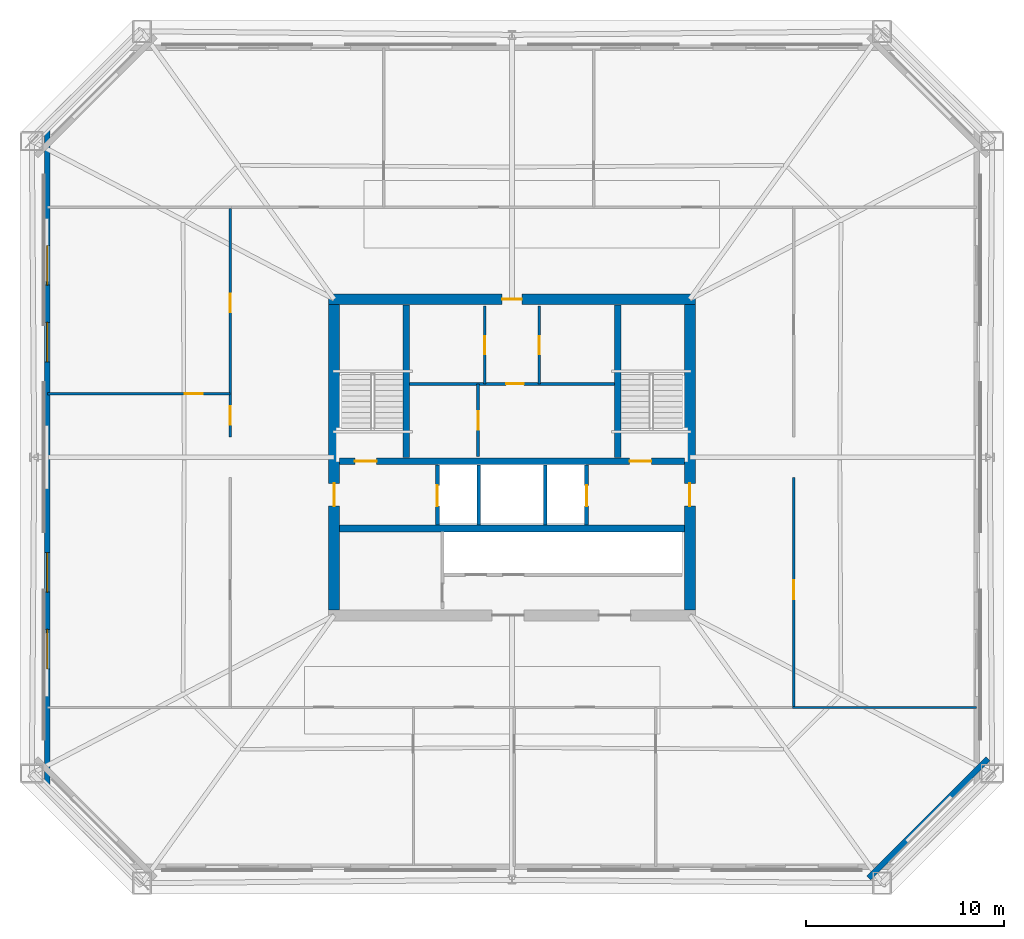
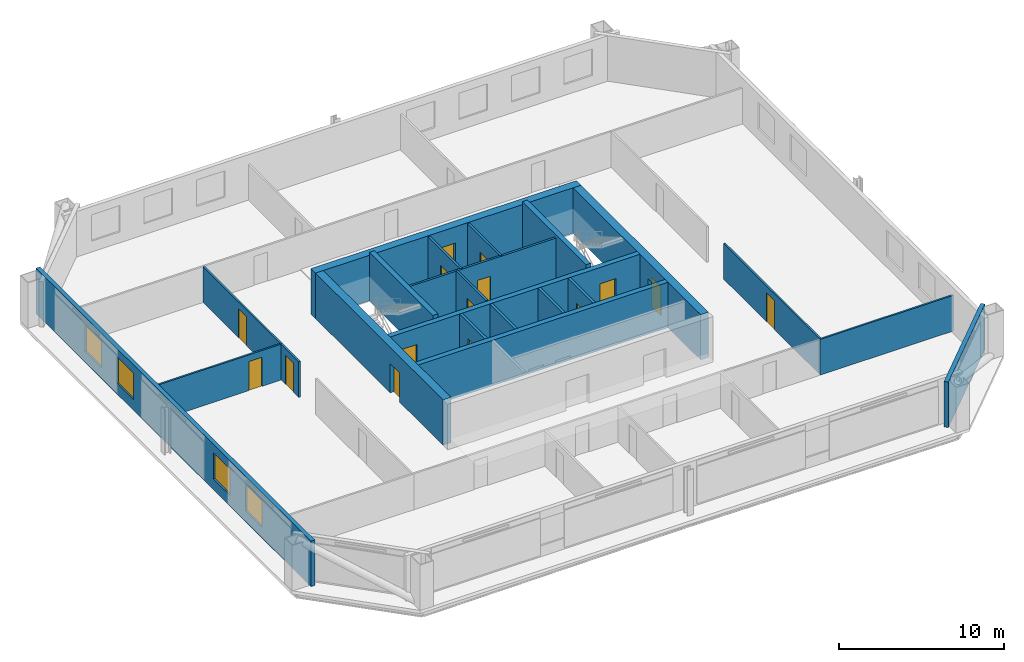
# One storey, part 3 of 7: 21 walls, 15 doors, 4 windows, 19 openings.
"""IFC4 building model written with IfcOpenShell, lengths in metres."""

from ifc_helpers import new_model, si_unit, direction, frame, frame_2d, origin, place, context, subcontext, project, spatial, rectangle, extrude, material, layer, layer_set, type_object, element, fill, save


model = new_model("IFC4")

# Units and contexts
model_context = context("Model", 3, precision=1e-05, world=origin(), true_north=direction((0.0, 1.0)))
body_context = subcontext(model_context, "Body", "Model", "MODEL_VIEW")
ifc_project = project(units=[si_unit("LENGTHUNIT", "METRE"), si_unit("AREAUNIT", "SQUARE_METRE"), si_unit("VOLUMEUNIT", "CUBIC_METRE"), si_unit("PLANEANGLEUNIT", "RADIAN"), si_unit("MASSUNIT", "GRAM", prefix="KILO")], contexts=[model_context])

# Site, building, storey
site_placement = place(None, origin())
site = spatial("IfcSite", under=ifc_project, at=site_placement, CompositionType="ELEMENT")
building_placement = place(site_placement, origin())
building = spatial("IfcBuilding", under=site, at=building_placement, Name="Caelvoria Tower", CompositionType="ELEMENT")
storey_placement = place(building_placement, frame((0.0, 0.0, 98.800048828125)))
storey = spatial("IfcBuildingStorey", under=building, at=storey_placement, Name="L25", CompositionType="ELEMENT", Elevation=98.800048828125)

# Wall, openings, doors
ifc_material_1 = material(Name="Concrete C50/60", Category="concrete")
ifc_layer_1 = layer(ifc_material_1, 0.35009765625, Name="Concrete C50/60")
ifc_layer_set_1 = layer_set([ifc_layer_1], Name="Core Internal Shear Wall 350 - Concrete C50/60")
wall_type_1 = type_object("IfcWallType", Name="Core Internal Shear Wall 350", PredefinedType="SHEAR", material=ifc_layer_set_1)
wall_1_placement = place(storey_placement, frame((37.27490234375, 31.800048828125, 0.0), z_axis=(0.0, 0.0, 1.0), x_axis=(1.0, 0.0, 0.0)))
wall_1 = element("IfcWall", 1, at=wall_1_placement, inside=storey, type_object=wall_type_1, Name="Core Shear Wall L25 M1", PredefinedType="SHEAR", context=body_context, shape_type="SweptSolid", body=[
    extrude(rectangle(XDim=17.4501953125, YDim=0.35009765625, at=frame_2d((8.72509765625, 0.0))), origin(), (0.0, 0.0, 1.0), 3.35986328125),
])
opening_1_placement = place(wall_1_placement, frame((0.77490234375, 0.0, 0.0)))
opening_1 = element("IfcOpeningElement", 2, at=opening_1_placement, cuts=wall_1, Name="Opening ID-01", PredefinedType="OPENING", context=body_context, shape_type="SweptSolid", body=[
    extrude(rectangle(XDim=1.10009765625, YDim=2.14990234375, at=frame_2d((0.550048828125, 1.074951171875))), frame((0.0, 0.18505859375, 0.0), z_axis=(0.0, -1.0, 0.0), x_axis=(1.0, 0.0, 0.0)), (0.0, 0.0, 1.0), 0.3701171875),
])
opening_2_placement = place(wall_1_placement, frame((14.675048828125, 0.0, 0.0)))
opening_2 = element("IfcOpeningElement", 3, at=opening_2_placement, cuts=wall_1, Name="Opening ID-01", PredefinedType="OPENING", context=body_context, shape_type="SweptSolid", body=[
    extrude(rectangle(XDim=1.10009765625, YDim=2.14990234375, at=frame_2d((0.550048828125, 1.074951171875))), frame((0.0, 0.18505859375, 0.0), z_axis=(0.0, -1.0, 0.0), x_axis=(1.0, 0.0, 0.0)), (0.0, 0.0, 1.0), 0.3701171875),
])
ifc_material_2 = material(Name="Painted Hollow Steel Fire Door", Category="steel")
door_type_1 = type_object("IfcDoorType", Name="Fire Door FD90S 1100x2150", OperationType="NOTDEFINED", PredefinedType="DOOR", material=ifc_material_2)
door_1_placement = place(opening_1_placement, origin())
door_1 = element("IfcDoor", 4, at=door_1_placement, inside=storey, type_object=door_type_1, Name="Core Door DR-L25-ST1", OperationType="SINGLE_SWING_LEFT", OverallHeight=2.14990234375, OverallWidth=1.10009765625, PredefinedType="DOOR", context=body_context, shape_type="SweptSolid", body=[
    extrude(rectangle(XDim=1.10009765625, YDim=2.14990234375, at=frame_2d((0.550048828125, 1.074951171875))), frame((0.0, 0.02490234375, 0.0), z_axis=(0.0, -1.0, 0.0), x_axis=(1.0, 0.0, 0.0)), (0.0, 0.0, 1.0), 0.050048828125),
])
fill(opening_1, door_1)
door_2_placement = place(opening_2_placement, origin())
door_2 = element("IfcDoor", 5, at=door_2_placement, inside=storey, type_object=door_type_1, Name="Core Door DR-L25-ST2", OperationType="SINGLE_SWING_RIGHT", OverallHeight=2.14990234375, OverallWidth=1.10009765625, PredefinedType="DOOR", context=body_context, shape_type="SweptSolid", body=[
    extrude(rectangle(XDim=1.10009765625, YDim=2.14990234375, at=frame_2d((0.550048828125, 1.074951171875))), frame((0.0, 0.02490234375, 0.0), z_axis=(0.0, -1.0, 0.0), x_axis=(1.0, 0.0, 0.0)), (0.0, 0.0, 1.0), 0.050048828125),
])
fill(opening_2, door_2)

# Walls
wall_2_placement = place(storey_placement, frame((37.27490234375, 28.39990234375, 0.0), z_axis=(0.0, 0.0, 1.0), x_axis=(1.0, 0.0, 0.0)))
element("IfcWall", 6, at=wall_2_placement, inside=storey, type_object=wall_type_1, Name="Core Shear Wall L25 M2", PredefinedType="SHEAR", context=body_context, shape_type="SweptSolid", body=[
    extrude(rectangle(XDim=17.4501953125, YDim=0.35009765625, at=frame_2d((8.72509765625, 0.0))), origin(), (0.0, 0.0, 1.0), 3.35986328125),
])
for number, where, z_axis, x_axis, name in (
    (7, (40.64990234375, 32.0, 0.0), (0.0, 0.0, 1.0), (0.0, 1.0, 0.0), "Interior Partition IW-L25-ST1E"),
    (8, (51.35009765625, 32.0, 0.0), (0.0, 0.0, 1.0), (0.0, 1.0, 0.0), "Interior Partition IW-L25-ST2W"),
):
    element("IfcWall", number, at=place(storey_placement, frame(where, z_axis=z_axis, x_axis=x_axis)), inside=storey, type_object=wall_type_1, Name=name, PredefinedType="SHEAR", context=body_context, shape_type="SweptSolid", body=[
        extrude(rectangle(XDim=7.699951171875, YDim=0.35009765625, at=frame_2d((3.85009765625, 0.0))), origin(), (0.0, 0.0, 1.0), 3.599853515625),
    ])

# Wall, opening, door
ifc_material_3 = material(Name="Double Gypsum Board on Steel Stud", Category="steel")
ifc_layer_2 = layer(ifc_material_3, 0.14990234375, Name="Double Gypsum Board on Steel Stud")
ifc_layer_set_2 = layer_set([ifc_layer_2], Name="Core Service Acoustic Partition Wall 150 - Double Gypsum Board on Steel Stud")
wall_type_2 = type_object("IfcWallType", Name="Core Service Acoustic Partition Wall 150", PredefinedType="PARTITIONING", material=ifc_layer_set_2)
wall_3_placement = place(storey_placement, frame((44.6201171875, 35.719970703125, 0.0), z_axis=(0.0, 0.0, 1.0), x_axis=(0.0, 1.0, 0.0)))
wall_3 = element("IfcWall", 9, at=wall_3_placement, inside=storey, type_object=wall_type_2, Name="Interior Partition IW-L25-C0L", PredefinedType="PARTITIONING", context=body_context, shape_type="SweptSolid", body=[
    extrude(rectangle(XDim=3.929931640625, YDim=0.14990234375, at=frame_2d((1.96484375, 0.0))), origin(), (0.0, 0.0, 1.0), 3.35986328125),
])
opening_3_placement = place(wall_3_placement, frame((1.5, 0.0, 0.0)))
opening_3 = element("IfcOpeningElement", 10, at=opening_3_placement, cuts=wall_3, Name="Opening ID-06", PredefinedType="OPENING", context=body_context, shape_type="SweptSolid", body=[
    extrude(rectangle(XDim=0.89990234375, YDim=2.14990234375, at=frame_2d((0.449951171875, 1.074951171875))), frame((0.0, 0.0849609375, 0.0), z_axis=(0.0, -1.0, 0.0), x_axis=(1.0, 0.0, 0.0)), (0.0, 0.0, 1.0), 0.169921875),
])
ifc_material_4 = material(Name="Engineered Andean Oak Veneer Door", Category="wood")
door_type_2 = type_object("IfcDoorType", Name="Interior Timber Door 900x2150", OperationType="NOTDEFINED", PredefinedType="DOOR", material=ifc_material_4)
door_3_placement = place(opening_3_placement, origin())
door_3 = element("IfcDoor", 11, at=door_3_placement, inside=storey, type_object=door_type_2, Name="Interior Door DR-L25-C01", OperationType="SINGLE_SWING_LEFT", OverallHeight=2.14990234375, OverallWidth=0.89990234375, PredefinedType="DOOR", context=body_context, shape_type="SweptSolid", body=[
    extrude(rectangle(XDim=0.89990234375, YDim=2.14990234375, at=frame_2d((0.449951171875, 1.074951171875))), frame((0.0, 0.02490234375, 0.0), z_axis=(0.0, -1.0, 0.0), x_axis=(1.0, 0.0, 0.0)), (0.0, 0.0, 1.0), 0.050048828125),
])
fill(opening_3, door_3)

wall_4_placement = place(storey_placement, frame((47.3798828125, 35.719970703125, 0.0), z_axis=(0.0, 0.0, 1.0), x_axis=(0.0, 1.0, 0.0)))
wall_4 = element("IfcWall", 12, at=wall_4_placement, inside=storey, type_object=wall_type_2, Name="Interior Partition IW-L25-C0R", PredefinedType="PARTITIONING", context=body_context, shape_type="SweptSolid", body=[
    extrude(rectangle(XDim=3.929931640625, YDim=0.14990234375, at=frame_2d((1.96484375, 0.0))), origin(), (0.0, 0.0, 1.0), 3.35986328125),
])
opening_4_placement = place(wall_4_placement, frame((1.5, 0.0, 0.0)))
opening_4 = element("IfcOpeningElement", 13, at=opening_4_placement, cuts=wall_4, Name="Opening ID-06", PredefinedType="OPENING", context=body_context, shape_type="SweptSolid", body=[
    extrude(rectangle(XDim=0.89990234375, YDim=2.14990234375, at=frame_2d((0.449951171875, 1.074951171875))), frame((0.0, 0.0849609375, 0.0), z_axis=(0.0, -1.0, 0.0), x_axis=(1.0, 0.0, 0.0)), (0.0, 0.0, 1.0), 0.169921875),
])
door_4_placement = place(opening_4_placement, origin())
door_4 = element("IfcDoor", 14, at=door_4_placement, inside=storey, type_object=door_type_2, Name="Interior Door DR-L25-C02", OperationType="SINGLE_SWING_RIGHT", OverallHeight=2.14990234375, OverallWidth=0.89990234375, PredefinedType="DOOR", context=body_context, shape_type="SweptSolid", body=[
    extrude(rectangle(XDim=0.89990234375, YDim=2.14990234375, at=frame_2d((0.449951171875, 1.074951171875))), frame((0.0, 0.02490234375, 0.0), z_axis=(0.0, -1.0, 0.0), x_axis=(1.0, 0.0, 0.0)), (0.0, 0.0, 1.0), 0.050048828125),
])
fill(opening_4, door_4)

wall_5_placement = place(storey_placement, frame((44.280029296875, 32.050048828125, 0.0), z_axis=(0.0, 0.0, 1.0), x_axis=(0.0, 1.0, 0.0)))
wall_5 = element("IfcWall", 15, at=wall_5_placement, inside=storey, type_object=wall_type_2, Name="Interior Partition IW-L25-C0M", PredefinedType="PARTITIONING", context=body_context, shape_type="SweptSolid", body=[
    extrude(rectangle(XDim=3.669921875, YDim=0.14990234375, at=frame_2d((1.8349609375, 0.0))), origin(), (0.0, 0.0, 1.0), 3.35986328125),
])
opening_5_placement = place(wall_5_placement, frame((1.35009765625, 0.0, 0.0)))
opening_5 = element("IfcOpeningElement", 16, at=opening_5_placement, cuts=wall_5, Name="Opening ID-07", PredefinedType="OPENING", context=body_context, shape_type="SweptSolid", body=[
    extrude(rectangle(XDim=0.919921875, YDim=2.14990234375, at=frame_2d((0.4599609375, 1.074951171875))), frame((0.0, 0.0849609375, 0.0), z_axis=(0.0, -1.0, 0.0), x_axis=(1.0, 0.0, 0.0)), (0.0, 0.0, 1.0), 0.169921875),
])
ifc_material_5 = material(Name="Engineered Andean Oak Accessible Door", Category="wood")
door_type_3 = type_object("IfcDoorType", Name="Accessible WC Door 950x2150", OperationType="NOTDEFINED", PredefinedType="DOOR", material=ifc_material_5)
door_5_placement = place(opening_5_placement, origin())
door_5 = element("IfcDoor", 17, at=door_5_placement, inside=storey, type_object=door_type_3, Name="Interior Door DR-L25-C05", OperationType="SINGLE_SWING_LEFT", OverallHeight=2.14990234375, OverallWidth=0.919921875, PredefinedType="DOOR", context=body_context, shape_type="SweptSolid", body=[
    extrude(rectangle(XDim=0.919921875, YDim=2.14990234375, at=frame_2d((0.4599609375, 1.074951171875))), frame((0.0, 0.02490234375, 0.0), z_axis=(0.0, -1.0, 0.0), x_axis=(1.0, 0.0, 0.0)), (0.0, 0.0, 1.0), 0.050048828125),
])
fill(opening_5, door_5)

wall_6_placement = place(storey_placement, frame((40.800048828125, 35.719970703125, 0.0), z_axis=(0.0, 0.0, 1.0), x_axis=(1.0, 0.0, 0.0)))
wall_6 = element("IfcWall", 18, at=wall_6_placement, inside=storey, type_object=wall_type_2, Name="Interior Partition IW-L25-C0H", PredefinedType="PARTITIONING", context=body_context, shape_type="SweptSolid", body=[
    extrude(rectangle(XDim=10.39990234375, YDim=0.14990234375, at=frame_2d((5.199951171875, 0.0))), origin(), (0.0, 0.0, 1.0), 3.35986328125),
])
opening_6_placement = place(wall_6_placement, frame((4.89990234375, 0.0, 0.0)))
opening_6 = element("IfcOpeningElement", 19, at=opening_6_placement, cuts=wall_6, Name="Opening ID-04", PredefinedType="OPENING", context=body_context, shape_type="SweptSolid", body=[
    extrude(rectangle(XDim=0.89990234375, YDim=2.14990234375, at=frame_2d((0.449951171875, 1.074951171875))), frame((0.0, 0.0849609375, 0.0), z_axis=(0.0, -1.0, 0.0), x_axis=(1.0, 0.0, 0.0)), (0.0, 0.0, 1.0), 0.169921875),
])
ifc_material_6 = material(Name="Acoustic Timber Fire Door", Category="wood")
door_type_4 = type_object("IfcDoorType", Name="Fire Door FD30S 900x2150", OperationType="NOTDEFINED", PredefinedType="DOOR", material=ifc_material_6)
door_6_placement = place(opening_6_placement, origin())
door_6 = element("IfcDoor", 20, at=door_6_placement, inside=storey, type_object=door_type_4, Name="Interior Door DR-L25-C04", OperationType="SINGLE_SWING_RIGHT", OverallHeight=2.14990234375, OverallWidth=0.89990234375, PredefinedType="DOOR", context=body_context, shape_type="SweptSolid", body=[
    extrude(rectangle(XDim=0.89990234375, YDim=2.14990234375, at=frame_2d((0.449951171875, 1.074951171875))), frame((0.0, 0.02490234375, 0.0), z_axis=(0.0, -1.0, 0.0), x_axis=(1.0, 0.0, 0.0)), (0.0, 0.0, 1.0), 0.050048828125),
])
fill(opening_6, door_6)

# Wall
ifc_material_7 = material(Name="Precast Concrete C40/50 with Bronze Cladding", Category="concrete")
ifc_layer_3 = layer(ifc_material_7, 0.280029296875, Name="Precast Concrete C40/50 with Bronze Cladding")
ifc_layer_set_3 = layer_set([ifc_layer_3], Name="Exterior Precast Concrete C40/50 Bronze-Clad Facade Wall 280 - Precast Concrete C40/50 with Bronze Cladding")
wall_type_3 = type_object("IfcWallType", Name="Exterior Precast Concrete C40/50 Bronze-Clad Facade Wall 280", PredefinedType="STANDARD", material=ifc_layer_set_3)
wall_7_placement = place(storey_placement, frame((64.054443359375, 10.7060546875, 0.0), z_axis=(0.0, 0.0, 1.0), x_axis=(0.707106781187, 0.707106781187, 0.0)))
element("IfcWall", 21, at=wall_7_placement, inside=storey, type_object=wall_type_3, Name="Exterior Facade Wall L25-E1", PredefinedType="STANDARD", context=body_context, shape_type="SweptSolid", body=[
    extrude(rectangle(XDim=8.541259765625, YDim=0.280029296875, at=frame_2d((4.2705078125, 0.0))), origin(), (0.0, 0.0, 1.0), 3.35986328125),
])

# Wall, openings, windows
wall_8_placement = place(storey_placement, frame((22.47998046875, 48.639892578125, 0.0), z_axis=(0.0, 0.0, 1.0), x_axis=(0.0, -1.0, 0.0)))
wall_8 = element("IfcWall", 22, at=wall_8_placement, inside=storey, type_object=wall_type_3, Name="Exterior Facade Wall L25-E6", PredefinedType="STANDARD", context=body_context, shape_type="SweptSolid", body=[
    extrude(rectangle(XDim=33.27978515625, YDim=0.280029296875, at=frame_2d((16.639892578125, 0.0))), origin(), (0.0, 0.0, 1.0), 3.35986328125),
])
opening_7_placement = place(wall_8_placement, frame((5.927490234375, 0.0, 0.800048828125)))
opening_7 = element("IfcOpeningElement", 23, at=opening_7_placement, cuts=wall_8, Name="Opening WN-01", PredefinedType="OPENING", context=body_context, shape_type="SweptSolid", body=[
    extrude(rectangle(XDim=2.0, YDim=1.949951171875, at=frame_2d((1.0, 0.97509765625))), frame((0.0, 0.14990234375, 0.0), z_axis=(0.0, -1.0, 0.0), x_axis=(1.0, 0.0, 0.0)), (0.0, 0.0, 1.0), 0.300048828125),
])
opening_8_placement = place(wall_8_placement, frame((9.8125, 0.0, 0.800048828125)))
opening_8 = element("IfcOpeningElement", 24, at=opening_8_placement, cuts=wall_8, Name="Opening WN-01", PredefinedType="OPENING", context=body_context, shape_type="SweptSolid", body=[
    extrude(rectangle(XDim=2.0, YDim=1.949951171875, at=frame_2d((1.0, 0.97509765625))), frame((0.0, 0.14990234375, 0.0), z_axis=(0.0, -1.0, 0.0), x_axis=(1.0, 0.0, 0.0)), (0.0, 0.0, 1.0), 0.300048828125),
])
opening_9_placement = place(wall_8_placement, frame((21.467529296875, 0.0, 0.800048828125)))
opening_9 = element("IfcOpeningElement", 25, at=opening_9_placement, cuts=wall_8, Name="Opening WN-01", PredefinedType="OPENING", context=body_context, shape_type="SweptSolid", body=[
    extrude(rectangle(XDim=2.0, YDim=1.949951171875, at=frame_2d((1.0, 0.97509765625))), frame((0.0, 0.14990234375, 0.0), z_axis=(0.0, -1.0, 0.0), x_axis=(1.0, 0.0, 0.0)), (0.0, 0.0, 1.0), 0.300048828125),
])
opening_10_placement = place(wall_8_placement, frame((25.3525390625, 0.0, 0.800048828125)))
opening_10 = element("IfcOpeningElement", 26, at=opening_10_placement, cuts=wall_8, Name="Opening WN-01", PredefinedType="OPENING", context=body_context, shape_type="SweptSolid", body=[
    extrude(rectangle(XDim=2.0, YDim=1.949951171875, at=frame_2d((1.0, 0.97509765625))), frame((0.0, 0.14990234375, 0.0), z_axis=(0.0, -1.0, 0.0), x_axis=(1.0, 0.0, 0.0)), (0.0, 0.0, 1.0), 0.300048828125),
])
ifc_material_8 = material(Name="Low-E Tinted Glass in Bronze Aluminium Frame", Category="aluminium")
window_type = type_object("IfcWindowType", Name="Tower Office Vision Window 2000x1950", PartitioningType="SINGLE_PANEL", PredefinedType="WINDOW", material=ifc_material_8)
window_1_placement = place(opening_7_placement, origin())
window_1 = element("IfcWindow", 27, at=window_1_placement, inside=storey, type_object=window_type, Name="Facade Window L25-E6-01", OverallHeight=1.949951171875, OverallWidth=2.0, PartitioningType="SINGLE_PANEL", PredefinedType="WINDOW", context=body_context, shape_type="SweptSolid", body=[
    extrude(rectangle(XDim=2.0, YDim=1.949951171875, at=frame_2d((1.0, 0.97509765625))), frame((0.0, 0.030029296875, 0.0), z_axis=(0.0, -1.0, 0.0), x_axis=(1.0, 0.0, 0.0)), (0.0, 0.0, 1.0), 0.06005859375),
])
fill(opening_7, window_1)
window_2_placement = place(opening_8_placement, origin())
window_2 = element("IfcWindow", 28, at=window_2_placement, inside=storey, type_object=window_type, Name="Facade Window L25-E6-02", OverallHeight=1.949951171875, OverallWidth=2.0, PartitioningType="SINGLE_PANEL", PredefinedType="WINDOW", context=body_context, shape_type="SweptSolid", body=[
    extrude(rectangle(XDim=2.0, YDim=1.949951171875, at=frame_2d((1.0, 0.97509765625))), frame((0.0, 0.030029296875, 0.0), z_axis=(0.0, -1.0, 0.0), x_axis=(1.0, 0.0, 0.0)), (0.0, 0.0, 1.0), 0.06005859375),
])
fill(opening_8, window_2)
window_3_placement = place(opening_9_placement, origin())
window_3 = element("IfcWindow", 29, at=window_3_placement, inside=storey, type_object=window_type, Name="Facade Window L25-E6-05", OverallHeight=1.949951171875, OverallWidth=2.0, PartitioningType="SINGLE_PANEL", PredefinedType="WINDOW", context=body_context, shape_type="SweptSolid", body=[
    extrude(rectangle(XDim=2.0, YDim=1.949951171875, at=frame_2d((1.0, 0.97509765625))), frame((0.0, 0.030029296875, 0.0), z_axis=(0.0, -1.0, 0.0), x_axis=(1.0, 0.0, 0.0)), (0.0, 0.0, 1.0), 0.06005859375),
])
fill(opening_9, window_3)
window_4_placement = place(opening_10_placement, origin())
window_4 = element("IfcWindow", 30, at=window_4_placement, inside=storey, type_object=window_type, Name="Facade Window L25-E6-06", OverallHeight=1.949951171875, OverallWidth=2.0, PartitioningType="SINGLE_PANEL", PredefinedType="WINDOW", context=body_context, shape_type="SweptSolid", body=[
    extrude(rectangle(XDim=2.0, YDim=1.949951171875, at=frame_2d((1.0, 0.97509765625))), frame((0.0, 0.030029296875, 0.0), z_axis=(0.0, -1.0, 0.0), x_axis=(1.0, 0.0, 0.0)), (0.0, 0.0, 1.0), 0.06005859375),
])
fill(opening_10, window_4)

# Walls
ifc_material_9 = material(Name="Concrete Block and Fireboard Assembly", Category="concrete")
ifc_layer_4 = layer(ifc_material_9, 0.179931640625, Name="Concrete Block and Fireboard Assembly")
ifc_layer_set_4 = layer_set([ifc_layer_4], Name="Fire-Rated Hoistway Partition Wall 180 - Concrete Block and Fireboard Assembly")
wall_type_4 = type_object("IfcWallType", Name="Fire-Rated Hoistway Partition Wall 180", PredefinedType="PARTITIONING", material=ifc_layer_set_4)
for number, where, z_axis, x_axis, name in (
    (31, (44.320068359375, 28.580078125, 0.0), (0.0, 0.0, 1.0), (0.0, 1.0, 0.0), "Interior Partition IW-L25-SV1W"),
    (32, (47.679931640625, 28.580078125, 0.0), (0.0, 0.0, 1.0), (0.0, 1.0, 0.0), "Interior Partition IW-L25-SV1E"),
):
    element("IfcWall", number, at=place(storey_placement, frame(where, z_axis=z_axis, x_axis=x_axis)), inside=storey, type_object=wall_type_4, Name=name, PredefinedType="PARTITIONING", context=body_context, shape_type="SweptSolid", body=[
        extrude(rectangle(XDim=3.0400390625, YDim=0.179931640625, at=frame_2d((1.52001953125, 0.0))), origin(), (0.0, 0.0, 1.0), 3.35986328125),
    ])

# Wall, opening, door
ifc_layer_5 = layer(ifc_material_9, 0.199951171875, Name="Concrete Block and Fireboard Assembly")
ifc_layer_set_5 = layer_set([ifc_layer_5], Name="Fire-Rated Shaft and Core Partition Wall 200 - Concrete Block and Fireboard Assembly")
wall_type_5 = type_object("IfcWallType", Name="Fire-Rated Shaft and Core Partition Wall 200", PredefinedType="PARTITIONING", material=ifc_layer_set_5)
wall_9_placement = place(storey_placement, frame((42.219970703125, 28.580078125, 0.0), z_axis=(0.0, 0.0, 1.0), x_axis=(0.0, 1.0, 0.0)))
wall_9 = element("IfcWall", 33, at=wall_9_placement, inside=storey, type_object=wall_type_5, Name="Interior Partition IW-L25-LF1W", PredefinedType="PARTITIONING", context=body_context, shape_type="SweptSolid", body=[
    extrude(rectangle(XDim=3.0400390625, YDim=0.199951171875, at=frame_2d((1.52001953125, 0.0))), origin(), (0.0, 0.0, 1.0), 3.35986328125),
])
opening_11_placement = place(wall_9_placement, frame((0.949951171875, 0.0, 0.0)))
opening_11 = element("IfcOpeningElement", 34, at=opening_11_placement, cuts=wall_9, Name="Opening LD-01", PredefinedType="OPENING", context=body_context, shape_type="SweptSolid", body=[
    extrude(rectangle(XDim=1.050048828125, YDim=2.14990234375, at=frame_2d((0.52490234375, 1.074951171875))), frame((0.0, 0.10986328125, 0.0), z_axis=(0.0, -1.0, 0.0), x_axis=(1.0, 0.0, 0.0)), (0.0, 0.0, 1.0), 0.219970703125),
])
ifc_material_10 = material(Name="Brushed Bronze Stainless Sliding Landing Door", Category="aluminium")
door_type_5 = type_object("IfcDoorType", Name="Lift Landing Sliding Door 1100x2150", OperationType="NOTDEFINED", PredefinedType="DOOR", material=ifc_material_10)
door_7_placement = place(opening_11_placement, origin())
door_7 = element("IfcDoor", 35, at=door_7_placement, inside=storey, type_object=door_type_5, Name="Interior Door LD-L25-LF1", OperationType="SLIDING_TO_LEFT", OverallHeight=2.14990234375, OverallWidth=1.050048828125, PredefinedType="DOOR", context=body_context, shape_type="SweptSolid", body=[
    extrude(rectangle(XDim=1.050048828125, YDim=2.14990234375, at=frame_2d((0.52490234375, 1.074951171875))), frame((0.0, 0.02490234375, 0.0), z_axis=(0.0, -1.0, 0.0), x_axis=(1.0, 0.0, 0.0)), (0.0, 0.0, 1.0), 0.050048828125),
])
fill(opening_11, door_7)

wall_10_placement = place(storey_placement, frame((49.780029296875, 28.580078125, 0.0), z_axis=(0.0, 0.0, 1.0), x_axis=(0.0, 1.0, 0.0)))
wall_10 = element("IfcWall", 36, at=wall_10_placement, inside=storey, type_object=wall_type_5, Name="Interior Partition IW-L25-LF2E", PredefinedType="PARTITIONING", context=body_context, shape_type="SweptSolid", body=[
    extrude(rectangle(XDim=3.0400390625, YDim=0.199951171875, at=frame_2d((1.52001953125, 0.0))), origin(), (0.0, 0.0, 1.0), 3.35986328125),
])
opening_12_placement = place(wall_10_placement, frame((0.949951171875, 0.0, 0.0)))
opening_12 = element("IfcOpeningElement", 37, at=opening_12_placement, cuts=wall_10, Name="Opening LD-01", PredefinedType="OPENING", context=body_context, shape_type="SweptSolid", body=[
    extrude(rectangle(XDim=1.050048828125, YDim=2.14990234375, at=frame_2d((0.52490234375, 1.074951171875))), frame((0.0, 0.10986328125, 0.0), z_axis=(0.0, -1.0, 0.0), x_axis=(1.0, 0.0, 0.0)), (0.0, 0.0, 1.0), 0.219970703125),
])
door_8_placement = place(opening_12_placement, origin())
door_8 = element("IfcDoor", 38, at=door_8_placement, inside=storey, type_object=door_type_5, Name="Interior Door LD-L25-LF2", OperationType="SLIDING_TO_RIGHT", OverallHeight=2.14990234375, OverallWidth=1.050048828125, PredefinedType="DOOR", context=body_context, shape_type="SweptSolid", body=[
    extrude(rectangle(XDim=1.050048828125, YDim=2.14990234375, at=frame_2d((0.52490234375, 1.074951171875))), frame((0.0, 0.02490234375, 0.0), z_axis=(0.0, -1.0, 0.0), x_axis=(1.0, 0.0, 0.0)), (0.0, 0.0, 1.0), 0.050048828125),
])
fill(opening_12, door_8)

ifc_material_11 = material(Name="Concrete C55/67", Category="concrete")
ifc_layer_6 = layer(ifc_material_11, 0.550048828125, Name="Concrete C55/67")
ifc_layer_set_6 = layer_set([ifc_layer_6], Name="Mid Core Shear Wall 550 - Concrete C55/67")
wall_type_6 = type_object("IfcWallType", Name="Mid Core Shear Wall 550", PredefinedType="SHEAR", material=ifc_layer_set_6)
wall_11_placement = place(storey_placement, frame((36.72509765625, 40.0, 0.0), z_axis=(0.0, 0.0, 1.0), x_axis=(1.0, 0.0, 0.0)))
wall_11 = element("IfcWall", 39, at=wall_11_placement, inside=storey, type_object=wall_type_6, Name="Core Shear Wall L25 N", PredefinedType="SHEAR", context=body_context, shape_type="SweptSolid", body=[
    extrude(rectangle(XDim=18.5498046875, YDim=0.550048828125, at=frame_2d((9.27490234375, 0.0))), origin(), (0.0, 0.0, 1.0), 3.35986328125),
])
opening_13_placement = place(wall_11_placement, frame((8.77490234375, 0.0, 0.0)))
opening_13 = element("IfcOpeningElement", 40, at=opening_13_placement, cuts=wall_11, Name="Opening ID-03", PredefinedType="OPENING", context=body_context, shape_type="SweptSolid", body=[
    extrude(rectangle(XDim=1.0, YDim=2.14990234375, at=frame_2d((0.5, 1.074951171875))), frame((0.0, 0.284912109375, 0.0), z_axis=(0.0, -1.0, 0.0), x_axis=(1.0, 0.0, 0.0)), (0.0, 0.0, 1.0), 0.570068359375),
])
door_type_6 = type_object("IfcDoorType", Name="Fire Door FD60S 1000x2150", OperationType="NOTDEFINED", PredefinedType="DOOR", material=ifc_material_2)
door_9_placement = place(opening_13_placement, origin())
door_9 = element("IfcDoor", 41, at=door_9_placement, inside=storey, type_object=door_type_6, Name="Core Door DR-L25-WC-MAIN", OperationType="SINGLE_SWING_RIGHT", OverallHeight=2.14990234375, OverallWidth=1.0, PredefinedType="DOOR", context=body_context, shape_type="SweptSolid", body=[
    extrude(rectangle(XDim=1.0, YDim=2.14990234375, at=frame_2d((0.5, 1.074951171875))), frame((0.0, 0.02490234375, 0.0), z_axis=(0.0, -1.0, 0.0), x_axis=(1.0, 0.0, 0.0)), (0.0, 0.0, 1.0), 0.050048828125),
])
fill(opening_13, door_9)

wall_12_placement = place(storey_placement, frame((37.0, 24.27490234375, 0.0), z_axis=(0.0, 0.0, 1.0), x_axis=(0.0, 1.0, 0.0)))
wall_12 = element("IfcWall", 42, at=wall_12_placement, inside=storey, type_object=wall_type_6, Name="Core Shear Wall L25 W", PredefinedType="SHEAR", context=body_context, shape_type="SweptSolid", body=[
    extrude(rectangle(XDim=15.4501953125, YDim=0.550048828125, at=frame_2d((7.72509765625, 0.0))), origin(), (0.0, 0.0, 1.0), 3.35986328125),
])
opening_14_placement = place(wall_12_placement, frame((5.25, 0.0, 0.0)))
opening_14 = element("IfcOpeningElement", 43, at=opening_14_placement, cuts=wall_12, Name="Opening ID-02", PredefinedType="OPENING", context=body_context, shape_type="SweptSolid", body=[
    extrude(rectangle(XDim=1.14990234375, YDim=2.14990234375, at=frame_2d((0.574951171875, 1.074951171875))), frame((0.0, 0.284912109375, 0.0), z_axis=(0.0, -1.0, 0.0), x_axis=(1.0, 0.0, 0.0)), (0.0, 0.0, 1.0), 0.570068359375),
])
door_type_7 = type_object("IfcDoorType", Name="Fire Door FD60S 1150x2150", OperationType="NOTDEFINED", PredefinedType="DOOR", material=ifc_material_2)
door_10_placement = place(opening_14_placement, origin())
door_10 = element("IfcDoor", 44, at=door_10_placement, inside=storey, type_object=door_type_7, Name="Core Door DR-L25-FFLW-OUT", OperationType="SINGLE_SWING_LEFT", OverallHeight=2.14990234375, OverallWidth=1.14990234375, PredefinedType="DOOR", context=body_context, shape_type="SweptSolid", body=[
    extrude(rectangle(XDim=1.14990234375, YDim=2.14990234375, at=frame_2d((0.574951171875, 1.074951171875))), frame((0.0, 0.02490234375, 0.0), z_axis=(0.0, -1.0, 0.0), x_axis=(1.0, 0.0, 0.0)), (0.0, 0.0, 1.0), 0.050048828125),
])
fill(opening_14, door_10)

wall_13_placement = place(storey_placement, frame((55.0, 24.27490234375, 0.0), z_axis=(0.0, 0.0, 1.0), x_axis=(0.0, 1.0, 0.0)))
wall_13 = element("IfcWall", 45, at=wall_13_placement, inside=storey, type_object=wall_type_6, Name="Core Shear Wall L25 E", PredefinedType="SHEAR", context=body_context, shape_type="SweptSolid", body=[
    extrude(rectangle(XDim=15.4501953125, YDim=0.550048828125, at=frame_2d((7.72509765625, 0.0))), origin(), (0.0, 0.0, 1.0), 3.35986328125),
])
opening_15_placement = place(wall_13_placement, frame((5.25, 0.0, 0.0)))
opening_15 = element("IfcOpeningElement", 46, at=opening_15_placement, cuts=wall_13, Name="Opening ID-02", PredefinedType="OPENING", context=body_context, shape_type="SweptSolid", body=[
    extrude(rectangle(XDim=1.14990234375, YDim=2.14990234375, at=frame_2d((0.574951171875, 1.074951171875))), frame((0.0, 0.284912109375, 0.0), z_axis=(0.0, -1.0, 0.0), x_axis=(1.0, 0.0, 0.0)), (0.0, 0.0, 1.0), 0.570068359375),
])
door_11_placement = place(opening_15_placement, origin())
door_11 = element("IfcDoor", 47, at=door_11_placement, inside=storey, type_object=door_type_7, Name="Core Door DR-L25-FFLE-OUT", OperationType="SINGLE_SWING_RIGHT", OverallHeight=2.14990234375, OverallWidth=1.14990234375, PredefinedType="DOOR", context=body_context, shape_type="SweptSolid", body=[
    extrude(rectangle(XDim=1.14990234375, YDim=2.14990234375, at=frame_2d((0.574951171875, 1.074951171875))), frame((0.0, 0.02490234375, 0.0), z_axis=(0.0, -1.0, 0.0), x_axis=(1.0, 0.0, 0.0)), (0.0, 0.0, 1.0), 0.050048828125),
])
fill(opening_15, door_11)

ifc_material_12 = material(Name="Acoustic Gypsum Board on Light-Gauge Stud", Category="gypsum")
ifc_layer_7 = layer(ifc_material_12, 0.1201171875, Name="Acoustic Gypsum Board on Light-Gauge Stud")
ifc_layer_set_7 = layer_set([ifc_layer_7], Name="Tenant Suite Acoustic Partition Wall 120 - Acoustic Gypsum Board on Light-Gauge Stud")
wall_type_7 = type_object("IfcWallType", Name="Tenant Suite Acoustic Partition Wall 120", PredefinedType="PARTITIONING", material=ifc_layer_set_7)
wall_14_placement = place(storey_placement, frame((31.739990234375, 35.212646484375, 0.0), z_axis=(0.0, 0.0, 1.0), x_axis=(-1.0, 0.0, 0.0)))
wall_14 = element("IfcWall", 48, at=wall_14_placement, inside=storey, type_object=wall_type_7, Name="Interior Partition IW-L25-WD-00-0", PredefinedType="PARTITIONING", context=body_context, shape_type="SweptSolid", body=[
    extrude(rectangle(XDim=9.260009765625, YDim=0.1201171875, at=frame_2d((4.6298828125, 0.0))), origin(), (0.0, 0.0, 1.0), 2.639892578125),
])
opening_16_placement = place(wall_14_placement, frame((1.39990234375, 0.0, 0.0)))
opening_16 = element("IfcOpeningElement", 49, at=opening_16_placement, cuts=wall_14, Name="Opening ID-06", PredefinedType="OPENING", context=body_context, shape_type="SweptSolid", body=[
    extrude(rectangle(XDim=0.89990234375, YDim=2.14990234375, at=frame_2d((0.449951171875, 1.074951171875))), frame((0.0, 0.070068359375, 0.0), z_axis=(0.0, -1.0, 0.0), x_axis=(1.0, 0.0, 0.0)), (0.0, 0.0, 1.0), 0.14013671875),
])
door_12_placement = place(opening_16_placement, origin())
door_12 = element("IfcDoor", 50, at=door_12_placement, inside=storey, type_object=door_type_2, Name="Interior Door DR-L25-WM-00-0", OperationType="SINGLE_SWING_RIGHT", OverallHeight=2.14990234375, OverallWidth=0.89990234375, PredefinedType="DOOR", context=body_context, shape_type="SweptSolid", body=[
    extrude(rectangle(XDim=0.89990234375, YDim=2.14990234375, at=frame_2d((0.449951171875, 1.074951171875))), frame((0.0, 0.02490234375, 0.0), z_axis=(0.0, -1.0, 0.0), x_axis=(1.0, 0.0, 0.0)), (0.0, 0.0, 1.0), 0.050048828125),
])
fill(opening_16, door_12)

# Wall, openings, doors
wall_15_placement = place(storey_placement, frame((31.739990234375, 33.02001953125, 0.0), z_axis=(0.0, 0.0, 1.0), x_axis=(0.0, 1.0, 0.0)))
wall_15 = element("IfcWall", 51, at=wall_15_placement, inside=storey, type_object=wall_type_7, Name="Interior Partition IW-L25-WCW-1", PredefinedType="PARTITIONING", context=body_context, shape_type="SweptSolid", body=[
    extrude(rectangle(XDim=11.580078125, YDim=0.1201171875, at=frame_2d((5.7900390625, 0.0))), origin(), (0.0, 0.0, 1.0), 2.639892578125),
])
opening_17_placement = place(wall_15_placement, frame((0.621337890625, 0.0, 0.0)))
opening_17 = element("IfcOpeningElement", 52, at=opening_17_placement, cuts=wall_15, Name="Opening ID-05", PredefinedType="OPENING", context=body_context, shape_type="SweptSolid", body=[
    extrude(rectangle(XDim=0.949951171875, YDim=2.14990234375, at=frame_2d((0.47509765625, 1.074951171875))), frame((0.0, 0.070068359375, 0.0), z_axis=(0.0, -1.0, 0.0), x_axis=(1.0, 0.0, 0.0)), (0.0, 0.0, 1.0), 0.14013671875),
])
opening_18_placement = place(wall_15_placement, frame((6.311279296875, 0.0, 0.0)))
opening_18 = element("IfcOpeningElement", 53, at=opening_18_placement, cuts=wall_15, Name="Opening ID-05", PredefinedType="OPENING", context=body_context, shape_type="SweptSolid", body=[
    extrude(rectangle(XDim=0.949951171875, YDim=2.14990234375, at=frame_2d((0.47509765625, 1.074951171875))), frame((0.0, 0.070068359375, 0.0), z_axis=(0.0, -1.0, 0.0), x_axis=(1.0, 0.0, 0.0)), (0.0, 0.0, 1.0), 0.14013671875),
])
door_type_8 = type_object("IfcDoorType", Name="Interior Timber Door 950x2150", OperationType="NOTDEFINED", PredefinedType="DOOR", material=ifc_material_4)
door_13_placement = place(opening_17_placement, origin())
door_13 = element("IfcDoor", 54, at=door_13_placement, inside=storey, type_object=door_type_8, Name="Interior Door DR-L25-WC-00-0", OperationType="SINGLE_SWING_RIGHT", OverallHeight=2.14990234375, OverallWidth=0.949951171875, PredefinedType="DOOR", context=body_context, shape_type="SweptSolid", body=[
    extrude(rectangle(XDim=0.949951171875, YDim=2.14990234375, at=frame_2d((0.47509765625, 1.074951171875))), frame((0.0, 0.02490234375, 0.0), z_axis=(0.0, -1.0, 0.0), x_axis=(1.0, 0.0, 0.0)), (0.0, 0.0, 1.0), 0.050048828125),
])
fill(opening_17, door_13)
door_14_placement = place(opening_18_placement, origin())
door_14 = element("IfcDoor", 55, at=door_14_placement, inside=storey, type_object=door_type_8, Name="Interior Door DR-L25-WC-01-0", OperationType="SINGLE_SWING_LEFT", OverallHeight=2.14990234375, OverallWidth=0.949951171875, PredefinedType="DOOR", context=body_context, shape_type="SweptSolid", body=[
    extrude(rectangle(XDim=0.949951171875, YDim=2.14990234375, at=frame_2d((0.47509765625, 1.074951171875))), frame((0.0, 0.02490234375, 0.0), z_axis=(0.0, -1.0, 0.0), x_axis=(1.0, 0.0, 0.0)), (0.0, 0.0, 1.0), 0.050048828125),
])
fill(opening_18, door_14)

# Wall, opening, door
wall_16_placement = place(storey_placement, frame((60.260009765625, 19.39990234375, 0.0), z_axis=(0.0, 0.0, 1.0), x_axis=(0.0, 1.0, 0.0)))
wall_16 = element("IfcWall", 56, at=wall_16_placement, inside=storey, type_object=wall_type_7, Name="Interior Partition IW-L25-ECW-0", PredefinedType="PARTITIONING", context=body_context, shape_type="SweptSolid", body=[
    extrude(rectangle(XDim=11.580078125, YDim=0.1201171875, at=frame_2d((5.7900390625, 0.0))), origin(), (0.0, 0.0, 1.0), 2.639892578125),
])
opening_19_placement = place(wall_16_placement, frame((5.4150390625, 0.0, 0.0)))
opening_19 = element("IfcOpeningElement", 57, at=opening_19_placement, cuts=wall_16, Name="Opening ID-05", PredefinedType="OPENING", context=body_context, shape_type="SweptSolid", body=[
    extrude(rectangle(XDim=0.949951171875, YDim=2.14990234375, at=frame_2d((0.47509765625, 1.074951171875))), frame((0.0, 0.070068359375, 0.0), z_axis=(0.0, -1.0, 0.0), x_axis=(1.0, 0.0, 0.0)), (0.0, 0.0, 1.0), 0.14013671875),
])
door_15_placement = place(opening_19_placement, origin())
door_15 = element("IfcDoor", 58, at=door_15_placement, inside=storey, type_object=door_type_8, Name="Interior Door DR-L25-EC-00-1", OperationType="SINGLE_SWING_LEFT", OverallHeight=2.14990234375, OverallWidth=0.949951171875, PredefinedType="DOOR", context=body_context, shape_type="SweptSolid", body=[
    extrude(rectangle(XDim=0.949951171875, YDim=2.14990234375, at=frame_2d((0.47509765625, 1.074951171875))), frame((0.0, 0.02490234375, 0.0), z_axis=(0.0, -1.0, 0.0), x_axis=(1.0, 0.0, 0.0)), (0.0, 0.0, 1.0), 0.050048828125),
])
fill(opening_19, door_15)

# Wall
wall_17_placement = place(storey_placement, frame((60.199951171875, 19.340087890625, 0.0), z_axis=(0.0, 0.0, 1.0), x_axis=(1.0, 0.0, 0.0)))
element("IfcWall", 59, at=wall_17_placement, inside=storey, type_object=wall_type_7, Name="Interior Partition IW-L25-BSE-0", PredefinedType="PARTITIONING", context=body_context, shape_type="SweptSolid", body=[
    extrude(rectangle(XDim=9.320068359375, YDim=0.1201171875, at=frame_2d((4.66015625, 0.0))), origin(), (0.0, 0.0, 1.0), 2.639892578125),
])

save(model, "model.ifc")
